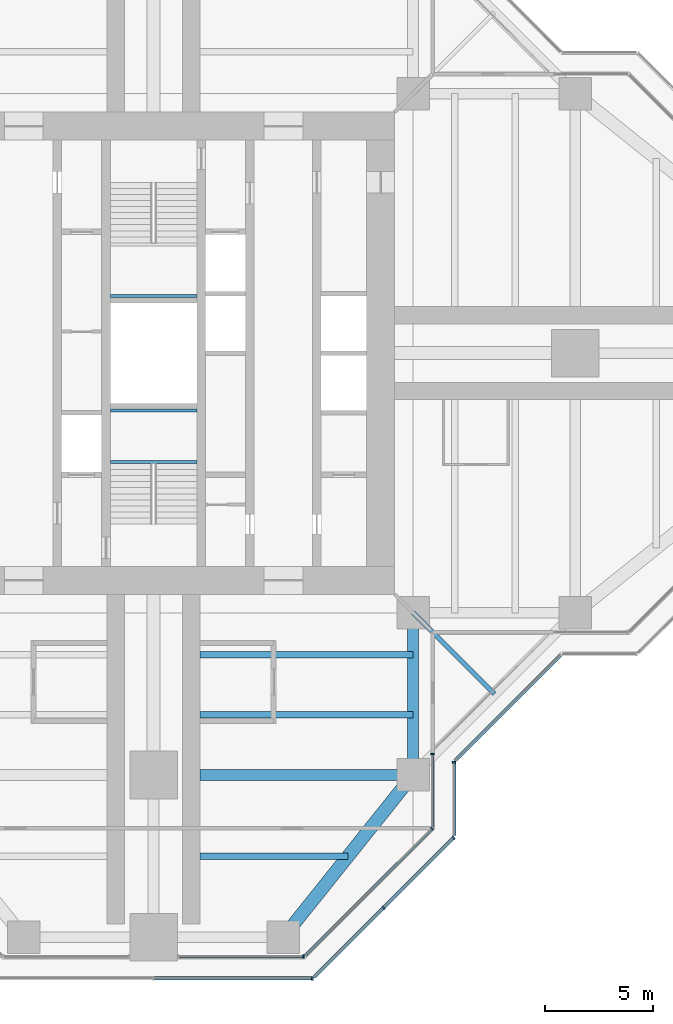
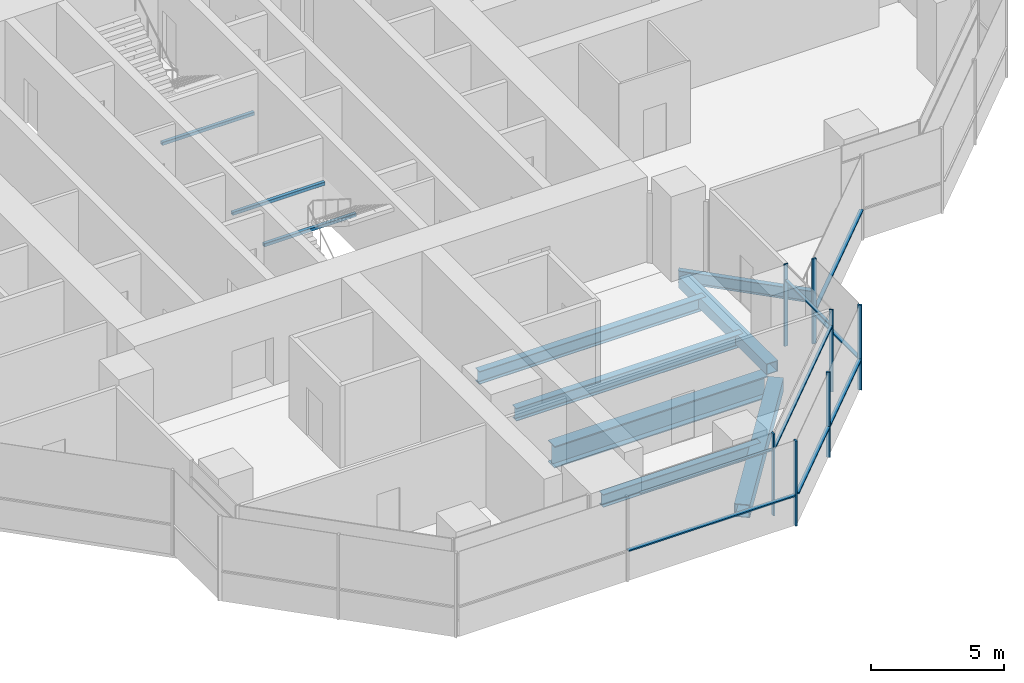
# One storey, part 4 of 17: 15 members, 10 beams, 7 elements without a shape of their own.
"""IFC4 building model written with IfcOpenShell, lengths in metres."""

from ifc_helpers import new_model, si_unit, direction, frame, origin, origin_2d, place, context, subcontext, project, spatial, rectangle, hollow_rectangle, i_section, extrude, material, material_profile, profile_set, type_object, element, aggregate, save


model = new_model("IFC4")

# Units and contexts
model_context = context("Model", 3, precision=1e-05, world=origin(), true_north=direction((0.0, 1.0)))
body_context = subcontext(model_context, "Body", "Model", "MODEL_VIEW")
ifc_project = project(units=[si_unit("LENGTHUNIT", "METRE"), si_unit("AREAUNIT", "SQUARE_METRE"), si_unit("VOLUMEUNIT", "CUBIC_METRE"), si_unit("PLANEANGLEUNIT", "RADIAN"), si_unit("MASSUNIT", "GRAM", prefix="KILO")], contexts=[model_context])

# Site, building, storey
site_placement = place(None, origin())
site = spatial("IfcSite", under=ifc_project, at=site_placement, CompositionType="ELEMENT")
building_placement = place(site_placement, origin())
building = spatial("IfcBuilding", under=site, at=building_placement, Name="Mizan Broadcast Tower", CompositionType="ELEMENT")
storey_placement = place(building_placement, frame((0.0, 0.0, 224.39990234375)))
storey = spatial("IfcBuildingStorey", under=building, at=storey_placement, Name="L52", CompositionType="ELEMENT", Elevation=224.39990234375)

# Beams
ifc_material_1 = material(Name="Steel S355", Category="steel")
ifc_material_profile_1 = material_profile(ifc_material_1, hollow_rectangle(XDim=0.5, YDim=0.5, WallThickness=0.030029296875, at=origin_2d()), Name="BOX 500x500x30")
ifc_profile_set_1 = profile_set([ifc_material_profile_1], Name="Steel S355")
beam_type_1 = type_object("IfcBeamType", Name="EDGE BEAM BOX 500x500x30", PredefinedType="SPANDREL", material=ifc_profile_set_1)
beam_1_placement = place(storey_placement, frame((12.0, -12.449951171875, -0.3798828125), z_axis=(0.0, -1.0, 0.0), x_axis=(1.0, 0.0, 0.0)))
element("IfcBeam", 1, at=beam_1_placement, inside=storey, type_object=beam_type_1, Name="Edge beam BOX 500x500x30 L52 south arm", PredefinedType="SPANDREL", context=body_context, shape_type="SweptSolid", body=[
    extrude(hollow_rectangle(XDim=0.5, YDim=0.5, WallThickness=0.030029296875, at=origin_2d()), origin(), (0.0, 0.0, 1.0), 6.60009765625),
])
ifc_material_2 = material(Name="Steel S355", Category="steel")
ifc_material_profile_2 = material_profile(ifc_material_2, hollow_rectangle(XDim=0.60009765625, YDim=0.60009765625, WallThickness=0.030029296875, at=origin_2d()), Name="BOX 600x600x30")
ifc_profile_set_2 = profile_set([ifc_material_profile_2], Name="Steel S355")
beam_type_2 = type_object("IfcBeamType", Name="EDGE BEAM BOX 600x600x30", PredefinedType="SPANDREL", material=ifc_profile_set_2)
beam_2_placement = place(storey_placement, frame((11.639892578125, -19.949951171875, -0.429931640625), z_axis=(-0.624673911726, -0.780885717636, 0.0), x_axis=(0.780885717636, -0.624673911726, 0.0)))
element("IfcBeam", 2, at=beam_2_placement, inside=storey, type_object=beam_type_2, Name="Edge beam BOX 600x600x30 L52 south arm", PredefinedType="SPANDREL", context=body_context, shape_type="SweptSolid", body=[
    extrude(hollow_rectangle(XDim=0.60009765625, YDim=0.60009765625, WallThickness=0.030029296875, at=origin_2d()), origin(), (0.0, 0.0, 1.0), 8.4521484375),
])
ifc_material_3 = material(Name="Steel S460", Category="steel")
ifc_material_profile_3 = material_profile(ifc_material_3, i_section(OverallWidth=0.5, OverallDepth=1.0, WebThickness=0.02490234375, FlangeThickness=0.050048828125, at=origin_2d()), Name="WPG 1000x500")
ifc_profile_set_3 = profile_set([ifc_material_profile_3], Name="Steel S460")
beam_type_3 = type_object("IfcBeamType", Name="GIRDER WPG 1000x500", PredefinedType="BEAM", material=ifc_profile_set_3)
beam_3_placement = place(storey_placement, frame((11.408935546875, -19.5, -0.6298828125), z_axis=(-1.0, 0.0, 0.0), x_axis=(0.0, -1.0, 0.0)))
element("IfcBeam", 3, at=beam_3_placement, inside=storey, type_object=beam_type_3, Name="Girder WPG 1000x500 L52 south arm", PredefinedType="BEAM", context=body_context, shape_type="SweptSolid", body=[
    extrude(i_section(OverallWidth=0.5, OverallDepth=1.0, WebThickness=0.02490234375, FlangeThickness=0.050048828125, at=origin_2d()), origin(), (0.0, 0.0, 1.0), 9.259033203125),
])

# Curtain wall, member
ifc_material_4 = material(Name="Aluminium framed glazing", Category="aluminium")
curtain_wall_type_1 = type_object("IfcCurtainWallType", Name="INNER SKIN HIGH ZONE", PredefinedType="USERDEFINED", material=ifc_material_4)
curtain_wall_1_placement = place(storey_placement, origin())
curtain_wall_1 = element("IfcCurtainWall", 4, at=curtain_wall_1_placement, inside=storey, type_object=curtain_wall_type_1, Name="Inner skin high zone L52 S end", ObjectType="INNER SKIN HIGH ZONE", PredefinedType="USERDEFINED")
ifc_material_5 = material(Name="Aluminium, pale anodised", Category="aluminium")
ifc_material_profile_4 = material_profile(ifc_material_5, rectangle(XDim=0.159912109375, YDim=0.06005859375, at=origin_2d()), Name="MULLION 160x60")
ifc_profile_set_4 = profile_set([ifc_material_profile_4], Name="Aluminium, pale anodised")
member_type_1 = type_object("IfcMemberType", Name="INNER SKIN MULLION 60x160", PredefinedType="MULLION", material=ifc_profile_set_4)
member_1_placement = place(storey_placement, frame((6.928466796875, -27.89990234375, 0.0), z_axis=(0.0, 0.0, 1.0), x_axis=(0.0, 1.0, 0.0)))
member_1 = element("IfcMember", 5, at=member_1_placement, type_object=member_type_1, Name="Inner skin high zone L52 S end mullion 2", PredefinedType="MULLION", context=body_context, shape_type="SweptSolid", body=[
    extrude(rectangle(XDim=0.159912109375, YDim=0.06005859375, at=origin_2d()), origin(), (0.0, 0.0, 1.0), 3.77001953125),
])

curtain_wall_2_placement = place(storey_placement, origin())
curtain_wall_2 = element("IfcCurtainWall", 6, at=curtain_wall_2_placement, inside=storey, type_object=curtain_wall_type_1, Name="Inner skin high zone L52 S chamfer", ObjectType="INNER SKIN HIGH ZONE", PredefinedType="USERDEFINED")
member_2_placement = place(storey_placement, frame((12.87890625, -21.979736328125, 0.0), z_axis=(0.0, 0.0, 1.0), x_axis=(-0.707106781187, 0.707106781187, 0.0)))
member_2 = element("IfcMember", 7, at=member_2_placement, type_object=member_type_1, Name="Inner skin high zone L52 S chamfer mullion 2", PredefinedType="MULLION", context=body_context, shape_type="SweptSolid", body=[
    extrude(rectangle(XDim=0.159912109375, YDim=0.06005859375, at=origin_2d()), origin(), (0.0, 0.0, 1.0), 3.77001953125),
])

curtain_wall_3_placement = place(storey_placement, origin())
curtain_wall_3 = element("IfcCurtainWall", 8, at=curtain_wall_3_placement, inside=storey, type_object=curtain_wall_type_1, Name="Inner skin high zone L52 S side", ObjectType="INNER SKIN HIGH ZONE", PredefinedType="USERDEFINED")
member_3_placement = place(storey_placement, frame((12.89990234375, -18.530029296875, 0.0), z_axis=(0.0, 0.0, 1.0), x_axis=(-1.0, 0.0, 0.0)))
member_3 = element("IfcMember", 9, at=member_3_placement, type_object=member_type_1, Name="Inner skin high zone L52 S side mullion 2", PredefinedType="MULLION", context=body_context, shape_type="SweptSolid", body=[
    extrude(rectangle(XDim=0.159912109375, YDim=0.06005859375, at=origin_2d()), origin(), (0.0, 0.0, 1.0), 3.77001953125),
])

# Member
ifc_material_6 = material(Name="Aluminium, pale anodised", Category="aluminium")
ifc_material_profile_5 = material_profile(ifc_material_6, rectangle(XDim=0.1201171875, YDim=0.06005859375, at=origin_2d()), Name="TRANSOM 120x60")
ifc_profile_set_5 = profile_set([ifc_material_profile_5], Name="Aluminium, pale anodised")
member_type_2 = type_object("IfcMemberType", Name="INNER SKIN TRANSOM 60x120", PredefinedType="USERDEFINED", material=ifc_profile_set_5)
member_4_placement = place(storey_placement, frame((1.159912109375, -27.89990234375, 3.030029296875), z_axis=(1.0, 0.0, 0.0), x_axis=(0.0, 1.0, 0.0)))
member_4 = element("IfcMember", 10, at=member_4_placement, type_object=member_type_2, Name="Inner skin high zone L52 S end transom 1.1", ObjectType="TRANSOM", PredefinedType="USERDEFINED", context=body_context, shape_type="SweptSolid", body=[
    extrude(rectangle(XDim=0.1201171875, YDim=0.06005859375, at=origin_2d()), origin(), (0.0, 0.0, 1.0), 5.73876953125),
])

aggregate(curtain_wall_1, [member_1, member_4])

member_5_placement = place(storey_placement, frame((7.0009765625, -27.857666015625, 3.030029296875), z_axis=(0.707106781187, 0.707106781187, 0.0), x_axis=(-0.707106781187, 0.707106781187, 0.0)))
member_5 = element("IfcMember", 11, at=member_5_placement, type_object=member_type_2, Name="Inner skin high zone L52 S chamfer transom 1.1", ObjectType="TRANSOM", PredefinedType="USERDEFINED", context=body_context, shape_type="SweptSolid", body=[
    extrude(rectangle(XDim=0.1201171875, YDim=0.06005859375, at=origin_2d()), origin(), (0.0, 0.0, 1.0), 8.28271484375),
])

aggregate(curtain_wall_2, [member_2, member_5])

member_6_placement = place(storey_placement, frame((12.89990234375, -21.898681640625, 3.030029296875), z_axis=(0.0, 1.0, 0.0), x_axis=(-1.0, 0.0, 0.0)))
member_6 = element("IfcMember", 12, at=member_6_placement, type_object=member_type_2, Name="Inner skin high zone L52 S side transom 1.1", ObjectType="TRANSOM", PredefinedType="USERDEFINED", context=body_context, shape_type="SweptSolid", body=[
    extrude(rectangle(XDim=0.1201171875, YDim=0.06005859375, at=origin_2d()), origin(), (0.0, 0.0, 1.0), 3.338623046875),
])

aggregate(curtain_wall_3, [member_3, member_6])

# Beams
ifc_material_7 = material(Name="Steel S355", Category="steel")
ifc_material_profile_6 = material_profile(ifc_material_7, hollow_rectangle(XDim=0.14990234375, YDim=0.14990234375, WallThickness=0.008056640625, InnerFilletRadius=0.008056640625, OuterFilletRadius=0.011962890625, at=origin_2d()), Name="SHS 150x150x8")
ifc_profile_set_6 = profile_set([ifc_material_profile_6], Name="Steel S355")
beam_type_4 = type_object("IfcBeamType", Name="LANDING TRIMMER SHS 150x150x8", PredefinedType="BEAM", material=ifc_profile_set_6)
for number, where, z_axis, x_axis, name in (
    (13, (-2.0, -5.02490234375, 1.675048828125), (1.0, 0.0, 0.0), (0.0, 1.0, 0.0), "Stair A landing trimmer L52"),
    (14, (-2.0, -2.64990234375, 1.675048828125), (1.0, 0.0, 0.0), (0.0, 1.0, 0.0), "Stair A landing trimmer L52"),
    (15, (2.0, 2.64990234375, 1.675048828125), (-1.0, 0.0, 0.0), (0.0, -1.0, 0.0), "Stair B landing trimmer L52"),
):
    element("IfcBeam", number, at=place(storey_placement, frame(where, z_axis=z_axis, x_axis=x_axis)), inside=storey, type_object=beam_type_4, Name=name, PredefinedType="BEAM", context=body_context, shape_type="SweptSolid", body=[
        extrude(hollow_rectangle(XDim=0.14990234375, YDim=0.14990234375, WallThickness=0.008056640625, InnerFilletRadius=0.008056640625, OuterFilletRadius=0.011962890625, at=origin_2d()), origin(), (0.0, 0.0, 1.0), 4.0),
    ])

# Curtain wall, member
ifc_material_8 = material(Name="Aluminium framed glazing", Category="aluminium")
curtain_wall_type_2 = type_object("IfcCurtainWallType", Name="OUTER SKIN", PredefinedType="USERDEFINED", material=ifc_material_8)
curtain_wall_4_placement = place(storey_placement, origin())
curtain_wall_4 = element("IfcCurtainWall", 16, at=curtain_wall_4_placement, inside=storey, type_object=curtain_wall_type_2, Name="Outer skin L52 S end", ObjectType="OUTER SKIN", PredefinedType="USERDEFINED")
ifc_material_9 = material(Name="Aluminium, pale anodised", Category="aluminium")
ifc_material_profile_7 = material_profile(ifc_material_9, rectangle(XDim=0.159912109375, YDim=0.080078125, at=origin_2d()), Name="MULLION 160x80")
ifc_profile_set_7 = profile_set([ifc_material_profile_7], Name="Aluminium, pale anodised")
member_type_3 = type_object("IfcMemberType", Name="OUTER SKIN MULLION 80x160", PredefinedType="MULLION", material=ifc_profile_set_7)
member_7_placement = place(storey_placement, frame((7.332763671875, -28.89990234375, 0.0), z_axis=(0.0, 0.0, 1.0), x_axis=(0.0, 1.0, 0.0)))
member_7 = element("IfcMember", 17, at=member_7_placement, type_object=member_type_3, Name="Outer skin L52 S end mullion 3", PredefinedType="MULLION", context=body_context, shape_type="SweptSolid", body=[
    extrude(rectangle(XDim=0.159912109375, YDim=0.080078125, at=origin_2d()), origin(), (0.0, 0.0, 1.0), 3.900146484375),
])

# Curtain wall, members
curtain_wall_5_placement = place(storey_placement, origin())
curtain_wall_5 = element("IfcCurtainWall", 18, at=curtain_wall_5_placement, inside=storey, type_object=curtain_wall_type_2, Name="Outer skin L52 S chamfer", ObjectType="OUTER SKIN", PredefinedType="USERDEFINED")
member_8_placement = place(storey_placement, frame((10.636474609375, -25.636474609375, 0.0), z_axis=(0.0, 0.0, 1.0), x_axis=(-0.707106781187, 0.707106781187, 0.0)))
member_8 = element("IfcMember", 19, at=member_8_placement, type_object=member_type_3, Name="Outer skin L52 S chamfer mullion 2", PredefinedType="MULLION", context=body_context, shape_type="SweptSolid", body=[
    extrude(rectangle(XDim=0.159912109375, YDim=0.080078125, at=origin_2d()), origin(), (0.0, 0.0, 1.0), 3.900146484375),
])
member_9_placement = place(storey_placement, frame((13.871826171875, -22.401123046875, 0.0), z_axis=(0.0, 0.0, 1.0), x_axis=(-0.707106781187, 0.707106781187, 0.0)))
member_9 = element("IfcMember", 20, at=member_9_placement, type_object=member_type_3, Name="Outer skin L52 S chamfer mullion 3", PredefinedType="MULLION", context=body_context, shape_type="SweptSolid", body=[
    extrude(rectangle(XDim=0.159912109375, YDim=0.080078125, at=origin_2d()), origin(), (0.0, 0.0, 1.0), 3.900146484375),
])

# Curtain wall, member
curtain_wall_6_placement = place(storey_placement, origin())
curtain_wall_6 = element("IfcCurtainWall", 21, at=curtain_wall_6_placement, inside=storey, type_object=curtain_wall_type_2, Name="Outer skin L52 S side", ObjectType="OUTER SKIN", PredefinedType="USERDEFINED")
member_10_placement = place(storey_placement, frame((13.89990234375, -18.912841796875, 0.0), z_axis=(0.0, 0.0, 1.0), x_axis=(-1.0, 0.0, 0.0)))
member_10 = element("IfcMember", 22, at=member_10_placement, type_object=member_type_3, Name="Outer skin L52 S side mullion 2", PredefinedType="MULLION", context=body_context, shape_type="SweptSolid", body=[
    extrude(rectangle(XDim=0.159912109375, YDim=0.080078125, at=origin_2d()), origin(), (0.0, 0.0, 1.0), 3.900146484375),
])

# Member
ifc_material_10 = material(Name="Aluminium, pale anodised", Category="aluminium")
ifc_material_profile_8 = material_profile(ifc_material_10, rectangle(XDim=0.159912109375, YDim=0.06005859375, at=origin_2d()), Name="TRANSOM 160x60")
ifc_profile_set_8 = profile_set([ifc_material_profile_8], Name="Aluminium, pale anodised")
member_type_4 = type_object("IfcMemberType", Name="OUTER SKIN TRANSOM 60x160", PredefinedType="USERDEFINED", material=ifc_profile_set_8)
member_11_placement = place(storey_placement, frame((0.0400390625, -28.89990234375, 1.400146484375), z_axis=(1.0, 0.0, 0.0), x_axis=(0.0, 1.0, 0.0)))
member_11 = element("IfcMember", 23, at=member_11_placement, type_object=member_type_4, Name="Outer skin L52 S end transom 2.1", ObjectType="TRANSOM", PredefinedType="USERDEFINED", context=body_context, shape_type="SweptSolid", body=[
    extrude(rectangle(XDim=0.159912109375, YDim=0.06005859375, at=origin_2d()), origin(), (0.0, 0.0, 1.0), 7.252685546875),
])

aggregate(curtain_wall_4, [member_7, member_11])

member_12_placement = place(storey_placement, frame((7.429443359375, -28.843505859375, 1.400146484375), z_axis=(0.707106781187, 0.707106781187, 0.0), x_axis=(-0.707106781187, 0.707106781187, 0.0)))
member_12 = element("IfcMember", 24, at=member_12_placement, type_object=member_type_4, Name="Outer skin L52 S chamfer transom 1.1", ObjectType="TRANSOM", PredefinedType="USERDEFINED", context=body_context, shape_type="SweptSolid", body=[
    extrude(rectangle(XDim=0.159912109375, YDim=0.06005859375, at=origin_2d()), origin(), (0.0, 0.0, 1.0), 4.495361328125),
])

member_13_placement = place(storey_placement, frame((10.664794921875, -25.608154296875, 1.400146484375), z_axis=(0.707106781187, 0.707106781187, 0.0), x_axis=(-0.707106781187, 0.707106781187, 0.0)))
member_13 = element("IfcMember", 25, at=member_13_placement, type_object=member_type_4, Name="Outer skin L52 S chamfer transom 2.1", ObjectType="TRANSOM", PredefinedType="USERDEFINED", context=body_context, shape_type="SweptSolid", body=[
    extrude(rectangle(XDim=0.159912109375, YDim=0.06005859375, at=origin_2d()), origin(), (0.0, 0.0, 1.0), 4.495361328125),
])

aggregate(curtain_wall_5, [member_8, member_9, member_12, member_13])

member_14_placement = place(storey_placement, frame((13.89990234375, -22.292724609375, 1.400146484375), z_axis=(0.0, 1.0, 0.0), x_axis=(-1.0, 0.0, 0.0)))
member_14 = element("IfcMember", 26, at=member_14_placement, type_object=member_type_4, Name="Outer skin L52 S side transom 1.1", ObjectType="TRANSOM", PredefinedType="USERDEFINED", context=body_context, shape_type="SweptSolid", body=[
    extrude(rectangle(XDim=0.159912109375, YDim=0.06005859375, at=origin_2d()), origin(), (0.0, 0.0, 1.0), 3.33984375),
])

aggregate(curtain_wall_6, [member_10, member_14])

# Curtain wall, member
curtain_wall_7_placement = place(storey_placement, origin())
curtain_wall_7 = element("IfcCurtainWall", 27, at=curtain_wall_7_placement, inside=storey, type_object=curtain_wall_type_2, Name="Outer skin L52 E chamfer", ObjectType="OUTER SKIN", PredefinedType="USERDEFINED")
member_15_placement = place(storey_placement, frame((13.95654296875, -18.816162109375, 1.400146484375), z_axis=(0.707106781187, 0.707106781187, 0.0), x_axis=(-0.707106781187, 0.707106781187, 0.0)))
member_15 = element("IfcMember", 28, at=member_15_placement, type_object=member_type_4, Name="Outer skin L52 E chamfer transom 1.1", ObjectType="TRANSOM", PredefinedType="USERDEFINED", context=body_context, shape_type="SweptSolid", body=[
    extrude(rectangle(XDim=0.159912109375, YDim=0.06005859375, at=origin_2d()), origin(), (0.0, 0.0, 1.0), 6.87255859375),
])
aggregate(curtain_wall_7, [member_15])

# Beams
ifc_material_11 = material(Name="Steel S355", Category="steel")
ifc_material_profile_9 = material_profile(ifc_material_11, i_section(OverallWidth=0.300048828125, OverallDepth=0.590087890625, WebThickness=0.012939453125, FlangeThickness=0.02490234375, FilletRadius=0.027099609375, at=origin_2d()), Name="HEA 600")
ifc_profile_set_9 = profile_set([ifc_material_profile_9], Name="Steel S355")
beam_type_5 = type_object("IfcBeamType", Name="SECONDARY BEAM HEA 600", PredefinedType="JOIST", material=ifc_profile_set_9)
for number, where, z_axis, x_axis, name in (
    (29, (12.0, -13.933349609375, -0.4248046875), (-1.0, 0.0, 0.0), (0.0, -1.0, 0.0), "Secondary beam HEA 600 L52 south arm"),
    (30, (12.0, -16.716552734375, -0.4248046875), (-1.0, 0.0, 0.0), (0.0, -1.0, 0.0), "Secondary beam HEA 600 L52 south arm"),
):
    element("IfcBeam", number, at=place(storey_placement, frame(where, z_axis=z_axis, x_axis=x_axis)), inside=storey, type_object=beam_type_5, Name=name, PredefinedType="JOIST", context=body_context, shape_type="SweptSolid", body=[
        extrude(i_section(OverallWidth=0.300048828125, OverallDepth=0.590087890625, WebThickness=0.012939453125, FlangeThickness=0.02490234375, FilletRadius=0.027099609375, at=origin_2d()), origin(), (0.0, 0.0, 1.0), 9.85009765625),
    ])
beam_4_placement = place(storey_placement, frame((9.0, -23.25, -0.4248046875), z_axis=(-1.0, 0.0, 0.0), x_axis=(0.0, -1.0, 0.0)))
element("IfcBeam", 31, at=beam_4_placement, inside=storey, type_object=beam_type_5, Name="Secondary beam HEA 600 L52 south arm", PredefinedType="JOIST", context=body_context, shape_type="SweptSolid", body=[
    extrude(i_section(OverallWidth=0.300048828125, OverallDepth=0.590087890625, WebThickness=0.012939453125, FlangeThickness=0.02490234375, FilletRadius=0.027099609375, at=origin_2d()), origin(), (0.0, 0.0, 1.0), 6.85009765625),
])
ifc_material_12 = material(Name="Steel S355", Category="steel")
ifc_material_profile_10 = material_profile(ifc_material_12, i_section(OverallWidth=0.2099609375, OverallDepth=0.550048828125, WebThickness=0.010986328125, FlangeThickness=0.01708984375, FilletRadius=0.02392578125, at=origin_2d()), Name="IPE 550")
ifc_profile_set_10 = profile_set([ifc_material_profile_10], Name="Steel S355")
beam_type_6 = type_object("IfcBeamType", Name="SECONDARY BEAM IPE 550", PredefinedType="JOIST", material=ifc_profile_set_10)
beam_5_placement = place(storey_placement, frame((12.0, -12.0, -0.40478515625), z_axis=(0.707106781187, -0.707106781187, 0.0), x_axis=(0.707106781187, 0.707106781187, 0.0)))
element("IfcBeam", 32, at=beam_5_placement, inside=storey, type_object=beam_type_6, Name="Winter garden beam L52 S", PredefinedType="JOIST", context=body_context, shape_type="SweptSolid", body=[
    extrude(i_section(OverallWidth=0.2099609375, OverallDepth=0.550048828125, WebThickness=0.010986328125, FlangeThickness=0.01708984375, FilletRadius=0.02392578125, at=origin_2d()), origin(), (0.0, 0.0, 1.0), 5.30322265625),
])

save(model, "model.ifc")
